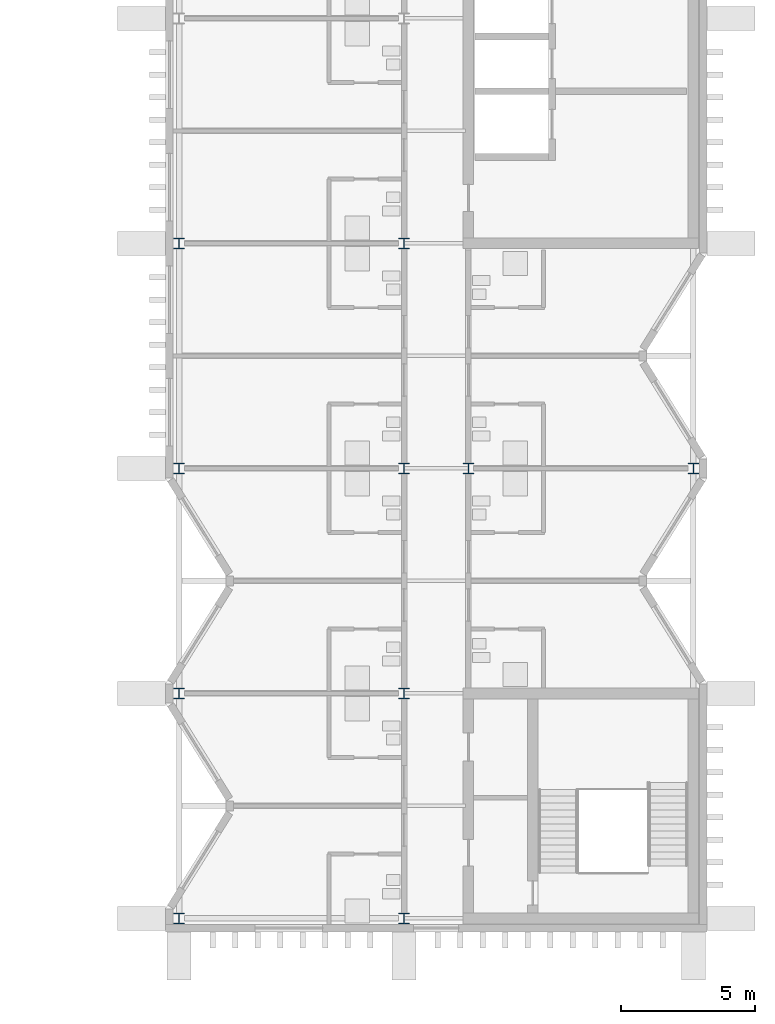
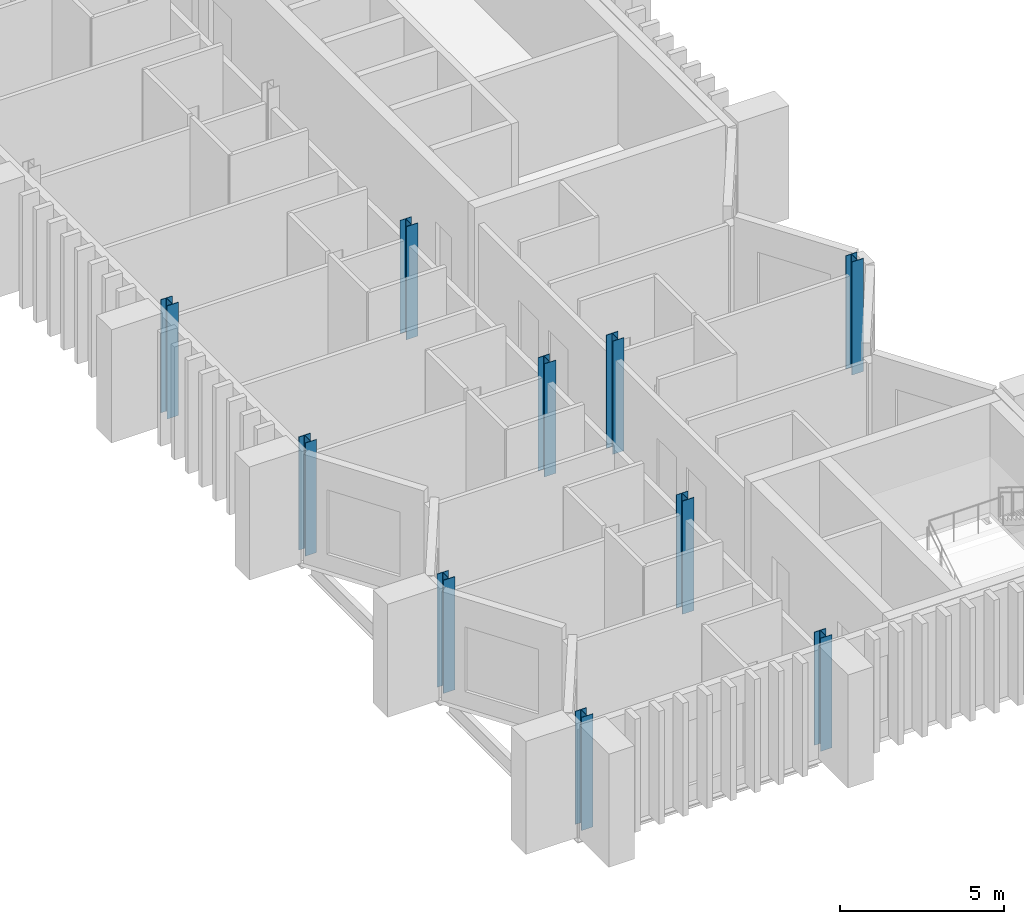
# One storey, part 2 of 17: 10 columns.
"""IFC4 building model written with IfcOpenShell, lengths in metres."""

from ifc_helpers import new_model, si_unit, direction, frame, origin, origin_2d, place, context, subcontext, project, spatial, i_section, extrude, material, material_profile, profile_set, type_object, element, save


model = new_model("IFC4")

# Units and contexts
model_context = context("Model", 3, precision=1e-05, world=origin(), true_north=direction((0.0, 1.0)))
body_context = subcontext(model_context, "Body", "Model", "MODEL_VIEW")
ifc_project = project(units=[si_unit("LENGTHUNIT", "METRE"), si_unit("AREAUNIT", "SQUARE_METRE"), si_unit("VOLUMEUNIT", "CUBIC_METRE"), si_unit("PLANEANGLEUNIT", "RADIAN"), si_unit("MASSUNIT", "GRAM", prefix="KILO")], contexts=[model_context])

# Site, building, storey
site_placement = place(None, origin())
site = spatial("IfcSite", under=ifc_project, at=site_placement, CompositionType="ELEMENT")
building_placement = place(site_placement, origin())
building = spatial("IfcBuilding", under=site, at=building_placement, Name="Cresset Court Congress Hotel", CompositionType="ELEMENT")
storey_placement = place(building_placement, frame((0.0, 0.0, 31.199951171875)))
storey = spatial("IfcBuildingStorey", under=building, at=storey_placement, Name="L07", CompositionType="ELEMENT", Elevation=31.199951171875)

# Columns
ifc_material = material(Name="Structural steel Q355B", Category="steel")
ifc_material_profile = material_profile(ifc_material, i_section(OverallWidth=0.39990234375, OverallDepth=0.39990234375, WebThickness=0.012939453125, FlangeThickness=0.02099609375, FilletRadius=0.02197265625, at=origin_2d()), Name="HW400x400x13x21")
ifc_profile_set = profile_set([ifc_material_profile], Name="Structural steel Q355B")
column_type = type_object("IfcColumnType", Name="Steel column HW400x400x13x21", PredefinedType="COLUMN", material=ifc_profile_set)
for number, where, z_axis, x_axis, name in (
    (1, (157.199951171875, 0.0, 0.0), (0.0, 0.0, 1.0), (1.0, 0.0, 0.0), "Column L07 1-20"),
    (2, (157.199951171875, 8.39990234375, 0.0), (0.0, 0.0, 1.0), (1.0, 0.0, 0.0), "Column L07 2-20"),
    (3, (157.199951171875, 16.800048828125, 0.0), (0.0, 0.0, 1.0), (1.0, 0.0, 0.0), "Column L07 3-20"),
    (4, (157.199951171875, 25.199951171875, 0.0), (0.0, 0.0, 1.0), (1.0, 0.0, 0.0), "Column L07 4-20"),
    (5, (165.60009765625, 0.0, 0.0), (0.0, 0.0, 1.0), (1.0, 0.0, 0.0), "Column L07 1-21"),
    (6, (165.60009765625, 8.39990234375, 0.0), (0.0, 0.0, 1.0), (1.0, 0.0, 0.0), "Column L07 2-21"),
    (7, (165.60009765625, 16.800048828125, 0.0), (0.0, 0.0, 1.0), (1.0, 0.0, 0.0), "Column L07 3-21"),
    (8, (165.60009765625, 25.199951171875, 0.0), (0.0, 0.0, 1.0), (1.0, 0.0, 0.0), "Column L07 4-21"),
    (9, (168.0, 16.800048828125, 0.0), (0.0, 0.0, 1.0), (1.0, 0.0, 0.0), "Column L07 3-22"),
    (10, (176.39990234375, 16.800048828125, 0.0), (0.0, 0.0, 1.0), (1.0, 0.0, 0.0), "Column L07 3-23"),
):
    element("IfcColumn", number, at=place(storey_placement, frame(where, z_axis=z_axis, x_axis=x_axis)), inside=storey, type_object=column_type, Name=name, PredefinedType="COLUMN", context=body_context, shape_type="SweptSolid", body=[
        extrude(i_section(OverallWidth=0.39990234375, OverallDepth=0.39990234375, WebThickness=0.012939453125, FlangeThickness=0.02099609375, FilletRadius=0.02197265625, at=origin_2d()), origin(), (0.0, 0.0, 1.0), 4.199951171875),
    ])

save(model, "model.ifc")
